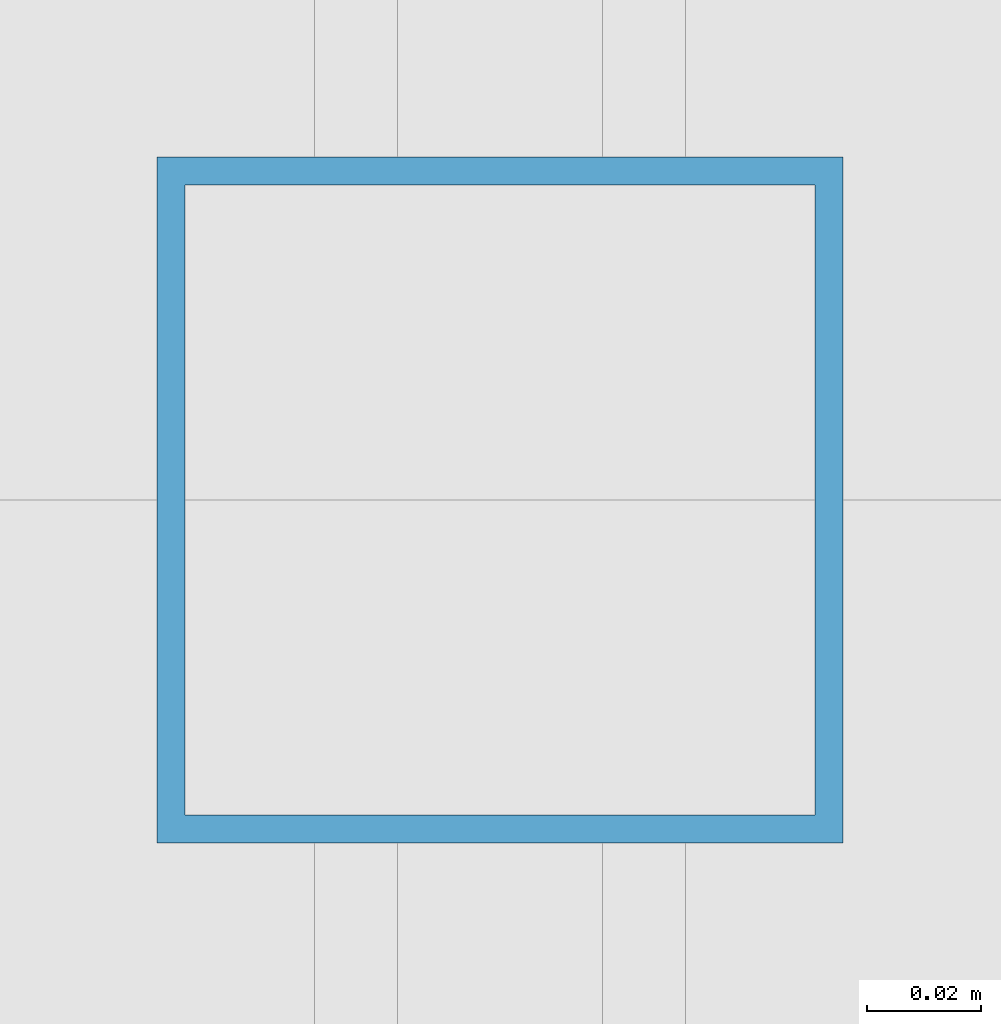
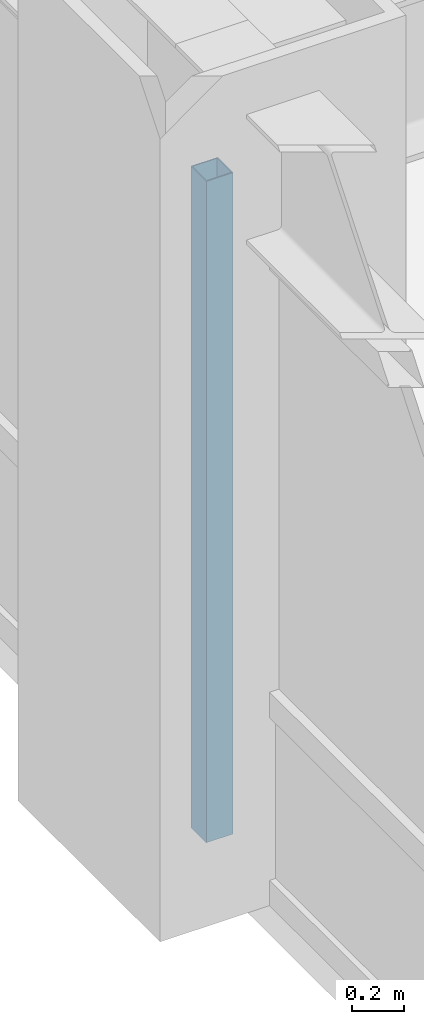
# One storey, part 6 of 24: 1 member, 1 element without a shape of its own.
"""IFC4 building model written with IfcOpenShell, lengths in metres."""

from ifc_helpers import new_model, si_unit, direction, frame, origin, origin_2d, place, context, subcontext, project, spatial, hollow_rectangle, extrude, source, transform, mapped, material, material_profile, profile_set, type_object, element, aggregate, save


model = new_model("IFC4")

# Units and contexts
model_context = context("Model", 3, precision=1e-05, world=origin(), true_north=direction((0.0, 1.0)))
body_context = subcontext(model_context, "Body", "Model", "MODEL_VIEW")
ifc_project = project(units=[si_unit("LENGTHUNIT", "METRE"), si_unit("AREAUNIT", "SQUARE_METRE"), si_unit("VOLUMEUNIT", "CUBIC_METRE"), si_unit("PLANEANGLEUNIT", "RADIAN"), si_unit("MASSUNIT", "GRAM", prefix="KILO")], contexts=[model_context])

# Site, building, storey
site_placement = place(None, origin())
site = spatial("IfcSite", under=ifc_project, at=site_placement, CompositionType="ELEMENT")
building_placement = place(site_placement, origin())
building = spatial("IfcBuilding", under=site, at=building_placement, Name="Khorayat Bourse Tower", CompositionType="ELEMENT")
storey_placement = place(building_placement, frame((0.0, 0.0, 171.10009765625)))
storey = spatial("IfcBuildingStorey", under=building, at=storey_placement, Name="L39", CompositionType="ELEMENT", Elevation=171.10009765625)

# Curtain wall, member
ifc_material = material(Name="Aluminium EN AW-6063 T6", Category="aluminium")
curtain_wall_type = type_object("IfcCurtainWallType", Name="CW-SYS-03", PredefinedType="NOTDEFINED", material=ifc_material)
curtain_wall_placement = place(storey_placement, origin())
curtain_wall = element("IfcCurtainWall", 1, at=curtain_wall_placement, inside=storey, type_object=curtain_wall_type, Name="L39 Curtain Wall CW-L39-W1", PredefinedType="NOTDEFINED")
ifc_material_profile = material_profile(ifc_material, hollow_rectangle(XDim=0.1201171875, YDim=0.1201171875, WallThickness=0.0048828125, at=origin_2d()), Name="ALU 120x120x5")
ifc_profile_set = profile_set([ifc_material_profile], Name="Aluminium EN AW-6063 T6")
member_type = type_object("IfcMemberType", Name="CWM-VERT-120", PredefinedType="MULLION", material=ifc_profile_set)
shared_shape = source(origin(), body_context, "Body", "SweptSolid", [
    extrude(hollow_rectangle(XDim=0.1201171875, YDim=0.1201171875, WallThickness=0.0048828125, at=origin_2d()), origin(), (0.0, 0.0, 1.0), 3.1298828125),
])
member_placement = place(storey_placement, frame((-30.0, 0.0, 0.0), z_axis=(0.0, 0.0, 1.0), x_axis=(-1.0, 0.0, 0.0)))
member = element("IfcMember", 2, at=member_placement, type_object=member_type, Name="CW-L39-W1 Vertical Mullion 2", PredefinedType="MULLION", context=body_context, shape_type="MappedRepresentation", body=[
    mapped(shared_shape, transform((0.0, 0.0, 0.0), scale=1.0)),
])
aggregate(curtain_wall, [member])

save(model, "model.ifc")
